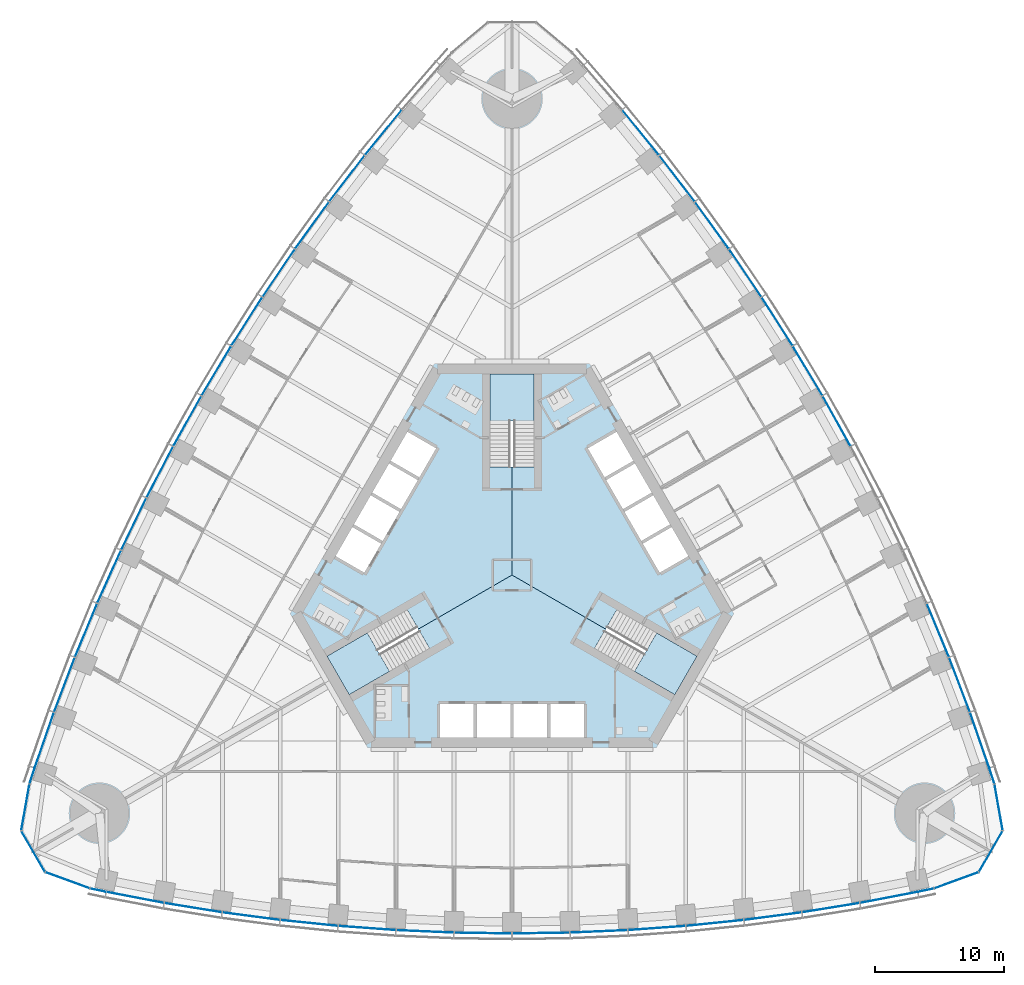
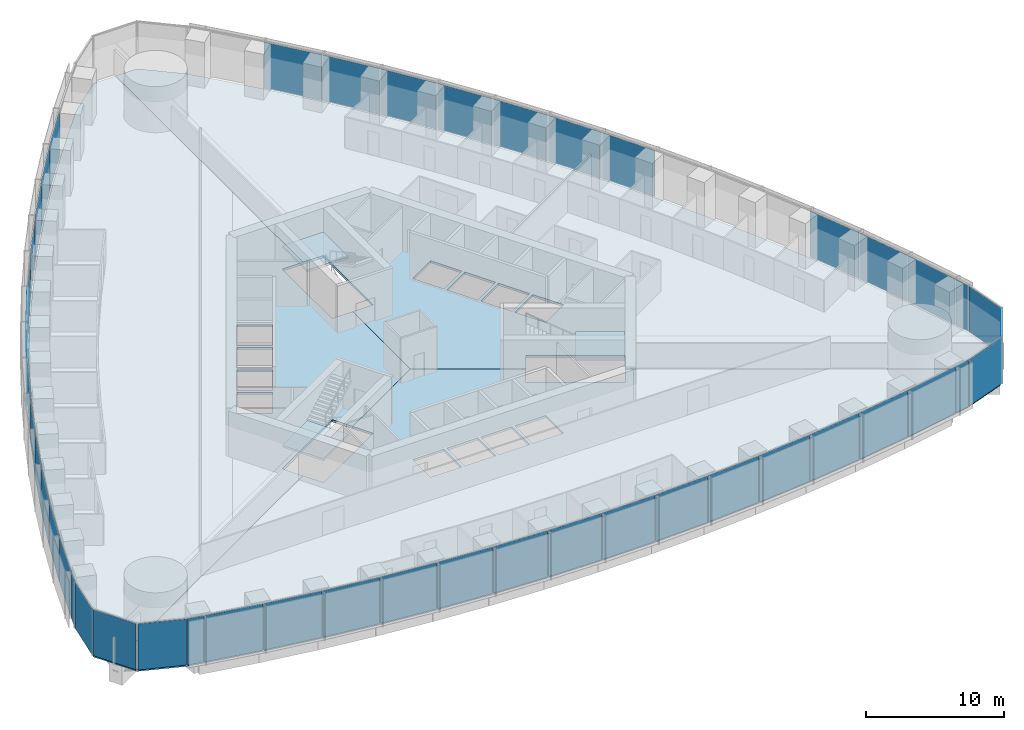
# One storey, part 8 of 18: 47 plates, 6 slabs, 8 elements without a shape of their own.
"""IFC4 building model written with IfcOpenShell, lengths in metres."""

import ifcopenshell
import ifcopenshell.guid

model = None  # the IFC model being written
_history = None  # IfcOwnerHistory: only IFC2X3 demands one
_inside = {}  # id of a spatial element -> (the spatial element, [elements in it])
_under = {}  # id of a project, library or spatial element -> (it, [spatial elements below it])
_declared = {}  # id of a project -> (the project, [libraries it declares])
_typed = {}  # id of a type object -> (the type object, [elements of that type])
_made_of = {}  # id of a material, layer set ... -> (it, [elements and type objects made of it])


def new_model(schema):
    """Start an empty IFC model of exactly this schema.

    Asked for "IFC4X3", IfcOpenShell would pick the latest addendum, in which some entities
    have other attributes; the version numbers below select the first issue.
    IFC2X3 requires an IfcOwnerHistory on every rooted entity: one is made here for all.
    """
    global model, _history
    if schema == "IFC4X3":
        model = ifcopenshell.file(schema_version=(4, 3, 0, 0))
    else:
        model = ifcopenshell.file(schema=schema)
    _inside.clear()
    _under.clear()
    _declared.clear()
    _typed.clear()
    _made_of.clear()
    _history = None
    if model.schema == "IFC2X3":
        org = make("IfcOrganization", Name="unknown")
        user = make(
            "IfcPersonAndOrganization",
            ThePerson=make("IfcPerson", FamilyName="unknown"),
            TheOrganization=org,
        )
        app = make(
            "IfcApplication",
            ApplicationDeveloper=org,
            Version="unknown",
            ApplicationFullName="unknown",
            ApplicationIdentifier="unknown",
        )
        _history = make(
            "IfcOwnerHistory",
            OwningUser=user,
            OwningApplication=app,
            ChangeAction="ADDED",
            CreationDate=0,
        )
    return model


def make(cls, **values):
    """One entity of the class cls with the attributes given. An attribute that is None is left unset."""
    return model.create_entity(
        cls, **{name: value for name, value in values.items() if value is not None}
    )


def rooted(cls, **values):
    """An entity with a GlobalId (a new one), such as an element, a storey or a relation."""
    return make(cls, GlobalId=ifcopenshell.guid.new(), OwnerHistory=_history, **values)


def si_unit(unit_type, name, prefix=None):
    """IfcSIUnit, for example si_unit("LENGTHUNIT", "METRE", prefix="MILLI")."""
    return make("IfcSIUnit", UnitType=unit_type, Prefix=prefix, Name=name)


def assignment(units):
    """IfcUnitAssignment: the units of a project."""
    return None if units is None else make("IfcUnitAssignment", Units=units)


def point(xyz):
    """IfcCartesianPoint."""
    return None if xyz is None else make("IfcCartesianPoint", Coordinates=xyz)


def direction(xyz):
    """IfcDirection."""
    return None if xyz is None else make("IfcDirection", DirectionRatios=xyz)


def frame(location, z_axis=None, x_axis=None):
    """IfcAxis2Placement3D, a coordinate frame: its origin and axes. An axis left out is left unset."""
    return make(
        "IfcAxis2Placement3D",
        Location=point(location),
        Axis=direction(z_axis),
        RefDirection=direction(x_axis),
    )


def frame_2d(location, x_axis=None):
    """IfcAxis2Placement2D, a coordinate frame in the plane: its origin and x axis."""
    return make(
        "IfcAxis2Placement2D", Location=point(location), RefDirection=direction(x_axis)
    )


def origin():
    """The frame at (0, 0, 0) with its axes left unset."""
    return frame((0.0, 0.0, 0.0))


def origin_2d():
    """The frame at (0, 0) in the plane with its x axis left unset."""
    return frame_2d((0.0, 0.0))


def place(relative_to, where):
    """IfcLocalPlacement: puts the frame where relative to a parent placement (None: the world)."""
    return make(
        "IfcLocalPlacement", PlacementRelTo=relative_to, RelativePlacement=where
    )


def context(
    kind, dimensions, precision=None, world=None, true_north=None, identifier=None
):
    """IfcGeometricRepresentationContext, for example the 3D "Model" context."""
    return make(
        "IfcGeometricRepresentationContext",
        ContextIdentifier=identifier,
        ContextType=kind,
        CoordinateSpaceDimension=dimensions,
        Precision=precision,
        WorldCoordinateSystem=world,
        TrueNorth=true_north,
    )


def subcontext(parent, identifier, kind, view, scale=None):
    """IfcGeometricRepresentationSubContext, for example "Body" below "Model"."""
    return make(
        "IfcGeometricRepresentationSubContext",
        ContextIdentifier=identifier,
        ContextType=kind,
        ParentContext=parent,
        TargetScale=scale,
        TargetView=view,
    )


def project(units=None, contexts=None):
    """IfcProject with its units and contexts."""
    return rooted(
        "IfcProject",
        Name="project",
        RepresentationContexts=contexts,
        UnitsInContext=assignment(units),
    )


def spatial(cls, under=None, at=None, **own):
    """A site, building, storey or space (cls), placed at a placement, below another one or the project."""
    s = rooted(cls, ObjectPlacement=at, **own)
    if under is not None:
        _under.setdefault(under.id(), (under, []))[1].append(s)
    return s


def polyline(points):
    """IfcPolyline through the points."""
    return make("IfcPolyline", Points=[point(p) for p in points])


def profile(cls, at=None, kind="AREA", **sizes):
    """A parametric profile (cls). Its sizes go by their IFC names, for example OverallWidth=200.0."""
    return make(cls, ProfileType=kind, Position=at, **sizes)


def rectangle(**sizes):
    """IfcRectangleProfileDef."""
    return profile("IfcRectangleProfileDef", **sizes)


def outline(outer, holes=None, kind="AREA"):
    """IfcArbitraryClosedProfileDef: a profile drawn as a closed curve; with holes, ...WithVoids."""
    if holes is None:
        return make("IfcArbitraryClosedProfileDef", ProfileType=kind, OuterCurve=outer)
    return make(
        "IfcArbitraryProfileDefWithVoids",
        ProfileType=kind,
        OuterCurve=outer,
        InnerCurves=holes,
    )


def extrude(swept, where, along, depth):
    """IfcExtrudedAreaSolid: the profile swept, set in the frame where, extruded along a direction by depth."""
    return make(
        "IfcExtrudedAreaSolid",
        SweptArea=swept,
        Position=where,
        ExtrudedDirection=direction(along),
        Depth=depth,
    )


def shape(context_of_items, identifier, shape_type, items):
    """IfcShapeRepresentation: the items that make up one representation, for example the "Body"."""
    return make(
        "IfcShapeRepresentation",
        ContextOfItems=context_of_items,
        RepresentationIdentifier=identifier,
        RepresentationType=shape_type,
        Items=items,
    )


def material(Name=None, Category=None):
    """IfcMaterial."""
    return make("IfcMaterial", Name=Name, Category=Category)


def layer(
    of_material, thickness, ventilated=None, Name=None, Category=None, Priority=None
):
    """IfcMaterialLayer: one layer of a wall or slab, of a material (None: an air gap)."""
    return make(
        "IfcMaterialLayer",
        Material=of_material,
        LayerThickness=thickness,
        IsVentilated=ventilated,
        Name=Name,
        Category=Category,
        Priority=Priority,
    )


def layer_set(layers, Name=None):
    """IfcMaterialLayerSet."""
    return make("IfcMaterialLayerSet", MaterialLayers=layers, LayerSetName=Name)


def made_of(thing, what):
    """Note that an element or type object is made of a material, layer set ...; save() writes the relation."""
    if what is not None:
        _made_of.setdefault(what.id(), (what, []))[1].append(thing)
    return thing


def type_object(cls, material=None, **own):
    """A type object (cls), such as IfcWallType, which elements share."""
    return made_of(rooted(cls, **own), material)


def element(
    cls,
    number,
    at=None,
    inside=None,
    cuts=None,
    type_object=None,
    material=None,
    context=None,
    identifier="Body",
    shape_type=None,
    held_by="IfcProductDefinitionShape",
    body=None,
    shapes=None,
    **own,
):
    """One element of the class cls, such as IfcWall. Its Tag is "e" and its number.

    at: its placement. inside: the storey or other place that contains it. cuts: it is an
    opening in that element (IfcRelVoidsElement). A single representation is given by context,
    identifier, shape_type and body (its items); several are given by shapes. held_by: the class
    of the entity that holds the representations. save() writes the other relations.
    """
    e = rooted(cls, Tag="e%d" % number, ObjectPlacement=at, **own)
    if body is not None:
        shapes = [shape(context, identifier, shape_type, body)]
    if shapes is not None:
        e.Representation = make(held_by, Representations=shapes)
    if inside is not None:
        _inside.setdefault(inside.id(), (inside, []))[1].append(e)
    if cuts is not None:
        rooted(
            "IfcRelVoidsElement", RelatingBuildingElement=cuts, RelatedOpeningElement=e
        )
    if type_object is not None:
        _typed.setdefault(type_object.id(), (type_object, []))[1].append(e)
    return made_of(e, material)


def aggregate(whole, parts):
    """IfcRelAggregates: a whole, such as a stair, and the parts it consists of."""
    return rooted("IfcRelAggregates", RelatingObject=whole, RelatedObjects=parts)


def save(model, path):
    """Write the relations noted so far, then the file.

    IfcRelAggregates (storeys below a building ...), IfcRelContainedInSpatialStructure (elements
    in a storey), IfcRelDefinesByType, IfcRelAssociatesMaterial and IfcRelDeclares: one each for
    every whole, place, type object, material and project.
    """
    for whole, parts in _under.values():
        aggregate(whole, parts)
    for where, things in _inside.values():
        rooted(
            "IfcRelContainedInSpatialStructure",
            RelatedElements=things,
            RelatingStructure=where,
        )
    for kind, things in _typed.values():
        rooted("IfcRelDefinesByType", RelatedObjects=things, RelatingType=kind)
    for what, things in _made_of.values():
        rooted("IfcRelAssociatesMaterial", RelatedObjects=things, RelatingMaterial=what)
    for by, libraries in _declared.values():
        rooted("IfcRelDeclares", RelatingContext=by, RelatedDefinitions=libraries)
    model.write(path)


model = new_model("IFC4")

# Units and contexts
model_context = context("Model", 3, precision=1e-05, world=origin(), true_north=direction((0.0, 1.0)))
body_context = subcontext(model_context, "Body", "Model", "MODEL_VIEW")
ifc_project = project(units=[si_unit("LENGTHUNIT", "METRE"), si_unit("AREAUNIT", "SQUARE_METRE"), si_unit("VOLUMEUNIT", "CUBIC_METRE"), si_unit("PLANEANGLEUNIT", "RADIAN"), si_unit("MASSUNIT", "GRAM", prefix="KILO")], contexts=[model_context])

# Site, building, storey
site_placement = place(None, origin())
site = spatial("IfcSite", under=ifc_project, at=site_placement, CompositionType="ELEMENT")
building_placement = place(site_placement, origin())
building = spatial("IfcBuilding", under=site, at=building_placement, Name="Trefoil Bronze Tower", CompositionType="ELEMENT")
storey_placement = place(building_placement, frame((0.0, 0.0, 54.300048828125)))
storey = spatial("IfcBuildingStorey", under=building, at=storey_placement, Name="L12", CompositionType="ELEMENT", Elevation=54.300048828125)

# Curtain wall, plates
ifc_material_1 = material(Name="Tinted solar-control glass", Category="glass")
curtain_wall_type_1 = type_object("IfcCurtainWallType", Name="Bronze office curtain wall", PredefinedType="USERDEFINED", material=ifc_material_1)
curtain_wall_1_placement = place(storey_placement, origin())
curtain_wall_1 = element("IfcCurtainWall", 1, at=curtain_wall_1_placement, inside=storey, type_object=curtain_wall_type_1, Name="CW-A L12 F1", ObjectType="CURTAIN WALL", PredefinedType="USERDEFINED")
ifc_material_2 = material(Name="Tinted solar-control glass", Category="glass")
ifc_layer_1 = layer(ifc_material_2, 0.030029296875)
ifc_layer_set_1 = layer_set([ifc_layer_1], Name="Bronze office curtain wall glass panel")
plate_type_1 = type_object("IfcPlateType", Name="Bronze office curtain wall glass panel", PredefinedType="CURTAIN_PANEL", material=ifc_layer_set_1)
plate_1_placement = place(storey_placement, frame((-32.15185546875, -24.480224609375, 0.0), z_axis=(0.0, 0.0, 1.0), x_axis=(0.978302717041, -0.207180582657, 0.0)))
plate_1 = element("IfcPlate", 2, at=plate_1_placement, type_object=plate_type_1, Name="CW-A L12 F1 panel 1", PredefinedType="CURTAIN_PANEL", context=body_context, shape_type="SweptSolid", body=[
    extrude(rectangle(XDim=1.21044921875, YDim=0.030029296875, at=origin_2d()), origin(), (0.0, 0.0, 1.0), 4.080078125),
])
plate_2_placement = place(storey_placement, frame((-29.268798828125, -25.04638671875, 0.0), z_axis=(0.0, 0.0, 1.0), x_axis=(0.982049823817, -0.188621694249, 0.0)))
plate_2 = element("IfcPlate", 3, at=plate_2_placement, type_object=plate_type_1, Name="CW-A L12 F1 panel 2", PredefinedType="CURTAIN_PANEL", context=body_context, shape_type="SweptSolid", body=[
    extrude(rectangle(XDim=4.502197265625, YDim=0.030029296875, at=origin_2d()), origin(), (0.0, 0.0, 1.0), 4.080078125),
])
plate_3_placement = place(storey_placement, frame((-24.765869140625, -25.8427734375, 0.0), z_axis=(0.0, 0.0, 1.0), x_axis=(0.987181315145, -0.159602791421, 0.0)))
plate_3 = element("IfcPlate", 4, at=plate_3_placement, type_object=plate_type_1, Name="CW-A L12 F1 panel 3", PredefinedType="CURTAIN_PANEL", context=body_context, shape_type="SweptSolid", body=[
    extrude(rectangle(XDim=4.478515625, YDim=0.030029296875, at=origin_2d()), origin(), (0.0, 0.0, 1.0), 4.080078125),
])
plate_4_placement = place(storey_placement, frame((-20.262939453125, -26.50341796875, 0.0), z_axis=(0.0, 0.0, 1.0), x_axis=(0.991437251591, -0.130583981243, 0.0)))
plate_4 = element("IfcPlate", 5, at=plate_4_placement, type_object=plate_type_1, Name="CW-A L12 F1 panel 4", PredefinedType="CURTAIN_PANEL", context=body_context, shape_type="SweptSolid", body=[
    extrude(rectangle(XDim=4.458984375, YDim=0.030029296875, at=origin_2d()), origin(), (0.0, 0.0, 1.0), 4.080078125),
])
plate_5_placement = place(storey_placement, frame((-15.76025390625, -27.02978515625, 0.0), z_axis=(0.0, 0.0, 1.0), x_axis=(0.994828880293, -0.101565244717, 0.0)))
plate_5 = element("IfcPlate", 6, at=plate_5_placement, type_object=plate_type_1, Name="CW-A L12 F1 panel 5", PredefinedType="CURTAIN_PANEL", context=body_context, shape_type="SweptSolid", body=[
    extrude(rectangle(XDim=4.443359375, YDim=0.030029296875, at=origin_2d()), origin(), (0.0, 0.0, 1.0), 4.080078125),
])
plate_6_placement = place(storey_placement, frame((-11.25732421875, -27.42333984375, 0.0), z_axis=(0.0, 0.0, 1.0), x_axis=(0.99736502647, -0.072546564177, 0.0)))
plate_6 = element("IfcPlate", 7, at=plate_6_placement, type_object=plate_type_1, Name="CW-A L12 F1 panel 6", PredefinedType="CURTAIN_PANEL", context=body_context, shape_type="SweptSolid", body=[
    extrude(rectangle(XDim=4.431884765625, YDim=0.030029296875, at=origin_2d()), origin(), (0.0, 0.0, 1.0), 4.080078125),
])
plate_7_placement = place(storey_placement, frame((-6.75439453125, -27.685302734375, 0.0), z_axis=(0.0, 0.0, 1.0), x_axis=(0.999052210809, -0.043527922969, 0.0)))
plate_7 = element("IfcPlate", 8, at=plate_7_placement, type_object=plate_type_1, Name="CW-A L12 F1 panel 7", PredefinedType="CURTAIN_PANEL", context=body_context, shape_type="SweptSolid", body=[
    extrude(rectangle(XDim=4.42431640625, YDim=0.030029296875, at=origin_2d()), origin(), (0.0, 0.0, 1.0), 4.080078125),
])
plate_8_placement = place(storey_placement, frame((-2.25146484375, -27.816162109375, 0.0), z_axis=(0.0, 0.0, 1.0), x_axis=(0.999894734493, -0.014509305083, 0.0)))
plate_8 = element("IfcPlate", 9, at=plate_8_placement, type_object=plate_type_1, Name="CW-A L12 F1 panel 8", PredefinedType="CURTAIN_PANEL", context=body_context, shape_type="SweptSolid", body=[
    extrude(rectangle(XDim=4.42041015625, YDim=0.030029296875, at=origin_2d()), origin(), (0.0, 0.0, 1.0), 4.080078125),
])
plate_9_placement = place(storey_placement, frame((2.25146484375, -27.816162109375, 0.0), z_axis=(0.0, 0.0, 1.0), x_axis=(0.999894734493, 0.014509305083, 0.0)))
plate_9 = element("IfcPlate", 10, at=plate_9_placement, type_object=plate_type_1, Name="CW-A L12 F1 panel 9", PredefinedType="CURTAIN_PANEL", context=body_context, shape_type="SweptSolid", body=[
    extrude(rectangle(XDim=4.42041015625, YDim=0.030029296875, at=origin_2d()), origin(), (0.0, 0.0, 1.0), 4.080078125),
])
plate_10_placement = place(storey_placement, frame((6.75439453125, -27.685302734375, 0.0), z_axis=(0.0, 0.0, 1.0), x_axis=(0.999052210809, 0.043527922969, 0.0)))
plate_10 = element("IfcPlate", 11, at=plate_10_placement, type_object=plate_type_1, Name="CW-A L12 F1 panel 10", PredefinedType="CURTAIN_PANEL", context=body_context, shape_type="SweptSolid", body=[
    extrude(rectangle(XDim=4.42431640625, YDim=0.030029296875, at=origin_2d()), origin(), (0.0, 0.0, 1.0), 4.080078125),
])
plate_11_placement = place(storey_placement, frame((11.25732421875, -27.42333984375, 0.0), z_axis=(0.0, 0.0, 1.0), x_axis=(0.99736502647, 0.072546564177, 0.0)))
plate_11 = element("IfcPlate", 12, at=plate_11_placement, type_object=plate_type_1, Name="CW-A L12 F1 panel 11", PredefinedType="CURTAIN_PANEL", context=body_context, shape_type="SweptSolid", body=[
    extrude(rectangle(XDim=4.431884765625, YDim=0.030029296875, at=origin_2d()), origin(), (0.0, 0.0, 1.0), 4.080078125),
])
plate_12_placement = place(storey_placement, frame((15.76025390625, -27.02978515625, 0.0), z_axis=(0.0, 0.0, 1.0), x_axis=(0.994828880293, 0.101565244717, 0.0)))
plate_12 = element("IfcPlate", 13, at=plate_12_placement, type_object=plate_type_1, Name="CW-A L12 F1 panel 12", PredefinedType="CURTAIN_PANEL", context=body_context, shape_type="SweptSolid", body=[
    extrude(rectangle(XDim=4.443359375, YDim=0.030029296875, at=origin_2d()), origin(), (0.0, 0.0, 1.0), 4.080078125),
])
plate_13_placement = place(storey_placement, frame((20.262939453125, -26.50341796875, 0.0), z_axis=(0.0, 0.0, 1.0), x_axis=(0.991437251591, 0.130583981243, 0.0)))
plate_13 = element("IfcPlate", 14, at=plate_13_placement, type_object=plate_type_1, Name="CW-A L12 F1 panel 13", PredefinedType="CURTAIN_PANEL", context=body_context, shape_type="SweptSolid", body=[
    extrude(rectangle(XDim=4.458984375, YDim=0.030029296875, at=origin_2d()), origin(), (0.0, 0.0, 1.0), 4.080078125),
])
plate_14_placement = place(storey_placement, frame((24.765869140625, -25.8427734375, 0.0), z_axis=(0.0, 0.0, 1.0), x_axis=(0.987181315145, 0.159602791421, 0.0)))
plate_14 = element("IfcPlate", 15, at=plate_14_placement, type_object=plate_type_1, Name="CW-A L12 F1 panel 14", PredefinedType="CURTAIN_PANEL", context=body_context, shape_type="SweptSolid", body=[
    extrude(rectangle(XDim=4.478515625, YDim=0.030029296875, at=origin_2d()), origin(), (0.0, 0.0, 1.0), 4.080078125),
])
plate_15_placement = place(storey_placement, frame((29.268798828125, -25.04638671875, 0.0), z_axis=(0.0, 0.0, 1.0), x_axis=(0.982049823817, 0.188621694249, 0.0)))
plate_15 = element("IfcPlate", 16, at=plate_15_placement, type_object=plate_type_1, Name="CW-A L12 F1 panel 15", PredefinedType="CURTAIN_PANEL", context=body_context, shape_type="SweptSolid", body=[
    extrude(rectangle(XDim=4.502197265625, YDim=0.030029296875, at=origin_2d()), origin(), (0.0, 0.0, 1.0), 4.080078125),
])
plate_16_placement = place(storey_placement, frame((32.15185546875, -24.480224609375, 0.0), z_axis=(0.0, 0.0, 1.0), x_axis=(0.978302717041, 0.207180582657, 0.0)))
plate_16 = element("IfcPlate", 17, at=plate_16_placement, type_object=plate_type_1, Name="CW-A L12 F1 panel 16", PredefinedType="CURTAIN_PANEL", context=body_context, shape_type="SweptSolid", body=[
    extrude(rectangle(XDim=1.21044921875, YDim=0.030029296875, at=origin_2d()), origin(), (0.0, 0.0, 1.0), 4.080078125),
])
aggregate(curtain_wall_1, [plate_1, plate_2, plate_3, plate_4, plate_5, plate_6, plate_7, plate_8, plate_9, plate_10, plate_11, plate_12, plate_13, plate_14, plate_15, plate_16])

curtain_wall_2_placement = place(storey_placement, origin())
curtain_wall_2 = element("IfcCurtainWall", 18, at=curtain_wall_2_placement, inside=storey, type_object=curtain_wall_type_1, Name="CW-A L12 F2", ObjectType="CURTAIN WALL", PredefinedType="USERDEFINED")
plate_17_placement = place(storey_placement, frame((37.2763671875, -15.604248046875, 0.0), z_axis=(0.0, 0.0, 1.0), x_axis=(-0.309727710769, 0.950825296877, 0.0)))
plate_17 = element("IfcPlate", 19, at=plate_17_placement, type_object=plate_type_1, Name="CW-A L12 F2 panel 1", PredefinedType="CURTAIN_PANEL", context=body_context, shape_type="SweptSolid", body=[
    extrude(rectangle(XDim=1.21044921875, YDim=0.030029296875, at=origin_2d()), origin(), (0.0, 0.0, 1.0), 4.080078125),
])
plate_18_placement = place(storey_placement, frame((36.3251953125, -12.824462890625, 0.0), z_axis=(0.0, 0.0, 1.0), x_axis=(-0.327673732984, 0.944790942332, 0.0)))
plate_18 = element("IfcPlate", 20, at=plate_18_placement, type_object=plate_type_1, Name="CW-A L12 F2 panel 2", PredefinedType="CURTAIN_PANEL", context=body_context, shape_type="SweptSolid", body=[
    extrude(rectangle(XDim=4.502197265625, YDim=0.030029296875, at=origin_2d()), origin(), (0.0, 0.0, 1.0), 4.080078125),
])
plate_19_placement = place(storey_placement, frame((34.763427734375, -8.526611328125, 0.0), z_axis=(0.0, 0.0, 1.0), x_axis=(-0.355370585687, 0.934725492767, 0.0)))
plate_19 = element("IfcPlate", 21, at=plate_19_placement, type_object=plate_type_1, Name="CW-A L12 F2 panel 3", PredefinedType="CURTAIN_PANEL", context=body_context, shape_type="SweptSolid", body=[
    extrude(rectangle(XDim=4.478515625, YDim=0.030029296875, at=origin_2d()), origin(), (0.0, 0.0, 1.0), 4.080078125),
])
plate_20_placement = place(storey_placement, frame((33.084228515625, -4.296630859375, 0.0), z_axis=(0.0, 0.0, 1.0), x_axis=(-0.382629580712, 0.923901836758, 0.0)))
plate_20 = element("IfcPlate", 22, at=plate_20_placement, type_object=plate_type_1, Name="CW-A L12 F2 panel 4", PredefinedType="CURTAIN_PANEL", context=body_context, shape_type="SweptSolid", body=[
    extrude(rectangle(XDim=4.458984375, YDim=0.030029296875, at=origin_2d()), origin(), (0.0, 0.0, 1.0), 4.080078125),
])
plate_21_placement = place(storey_placement, frame((25.215087890625, 11.958251953125, 0.0), z_axis=(0.0, 0.0, 1.0), x_axis=(-0.487381940453, 0.873188893722, 0.0)))
plate_21 = element("IfcPlate", 23, at=plate_21_placement, type_object=plate_type_1, Name="CW-A L12 F2 panel 8", PredefinedType="CURTAIN_PANEL", context=body_context, shape_type="SweptSolid", body=[
    extrude(rectangle(XDim=4.42041015625, YDim=0.030029296875, at=origin_2d()), origin(), (0.0, 0.0, 1.0), 4.080078125),
])
plate_22_placement = place(storey_placement, frame((22.963623046875, 15.85791015625, 0.0), z_axis=(0.0, 0.0, 1.0), x_axis=(-0.51251279404, 0.858679588639, 0.0)))
plate_22 = element("IfcPlate", 24, at=plate_22_placement, type_object=plate_type_1, Name="CW-A L12 F2 panel 9", PredefinedType="CURTAIN_PANEL", context=body_context, shape_type="SweptSolid", body=[
    extrude(rectangle(XDim=4.42041015625, YDim=0.030029296875, at=origin_2d()), origin(), (0.0, 0.0, 1.0), 4.080078125),
])
plate_23_placement = place(storey_placement, frame((20.598876953125, 19.692138671875, 0.0), z_axis=(0.0, 0.0, 1.0), x_axis=(-0.537222392469, 0.843440632783, 0.0)))
plate_23 = element("IfcPlate", 25, at=plate_23_placement, type_object=plate_type_1, Name="CW-A L12 F2 panel 10", PredefinedType="CURTAIN_PANEL", context=body_context, shape_type="SweptSolid", body=[
    extrude(rectangle(XDim=4.42431640625, YDim=0.030029296875, at=origin_2d()), origin(), (0.0, 0.0, 1.0), 4.080078125),
])
plate_24_placement = place(storey_placement, frame((18.120849609375, 23.460693359375, 0.0), z_axis=(0.0, 0.0, 1.0), x_axis=(-0.56150968077, 0.827470167681, 0.0)))
plate_24 = element("IfcPlate", 26, at=plate_24_placement, type_object=plate_type_1, Name="CW-A L12 F2 panel 11", PredefinedType="CURTAIN_PANEL", context=body_context, shape_type="SweptSolid", body=[
    extrude(rectangle(XDim=4.431884765625, YDim=0.030029296875, at=origin_2d()), origin(), (0.0, 0.0, 1.0), 4.080078125),
])
plate_25_placement = place(storey_placement, frame((15.5283203125, 27.16357421875, 0.0), z_axis=(0.0, 0.0, 1.0), x_axis=(-0.585372522213, 0.810764460394, 0.0)))
plate_25 = element("IfcPlate", 27, at=plate_25_placement, type_object=plate_type_1, Name="CW-A L12 F2 panel 12", PredefinedType="CURTAIN_PANEL", context=body_context, shape_type="SweptSolid", body=[
    extrude(rectangle(XDim=4.443359375, YDim=0.030029296875, at=origin_2d()), origin(), (0.0, 0.0, 1.0), 4.080078125),
])
plate_26_placement = place(storey_placement, frame((12.821044921875, 30.800048828125, 0.0), z_axis=(0.0, 0.0, 1.0), x_axis=(-0.608807670879, 0.793317855515, 0.0)))
plate_26 = element("IfcPlate", 28, at=plate_26_placement, type_object=plate_type_1, Name="CW-A L12 F2 panel 13", PredefinedType="CURTAIN_PANEL", context=body_context, shape_type="SweptSolid", body=[
    extrude(rectangle(XDim=4.458984375, YDim=0.030029296875, at=origin_2d()), origin(), (0.0, 0.0, 1.0), 4.080078125),
])
plate_27_placement = place(storey_placement, frame((9.99755859375, 34.369384765625, 0.0), z_axis=(0.0, 0.0, 1.0), x_axis=(-0.631810729457, 0.775122701346, 0.0)))
plate_27 = element("IfcPlate", 29, at=plate_27_placement, type_object=plate_type_1, Name="CW-A L12 F2 panel 14", PredefinedType="CURTAIN_PANEL", context=body_context, shape_type="SweptSolid", body=[
    extrude(rectangle(XDim=4.478515625, YDim=0.030029296875, at=origin_2d()), origin(), (0.0, 0.0, 1.0), 4.080078125),
])
aggregate(curtain_wall_2, [plate_17, plate_18, plate_19, plate_20, plate_21, plate_22, plate_23, plate_24, plate_25, plate_26, plate_27])

curtain_wall_3_placement = place(storey_placement, origin())
curtain_wall_3 = element("IfcCurtainWall", 30, at=curtain_wall_3_placement, inside=storey, type_object=curtain_wall_type_1, Name="CW-A L12 F3", ObjectType="CURTAIN WALL", PredefinedType="USERDEFINED")
plate_28_placement = place(storey_placement, frame((-9.99755859375, 34.369384765625, 0.0), z_axis=(0.0, 0.0, 1.0), x_axis=(-0.631810729457, -0.775122701346, 0.0)))
plate_28 = element("IfcPlate", 31, at=plate_28_placement, type_object=plate_type_1, Name="CW-A L12 F3 panel 3", PredefinedType="CURTAIN_PANEL", context=body_context, shape_type="SweptSolid", body=[
    extrude(rectangle(XDim=4.478515625, YDim=0.030029296875, at=origin_2d()), origin(), (0.0, 0.0, 1.0), 4.080078125),
])
plate_29_placement = place(storey_placement, frame((-12.821044921875, 30.800048828125, 0.0), z_axis=(0.0, 0.0, 1.0), x_axis=(-0.608807670879, -0.793317855515, 0.0)))
plate_29 = element("IfcPlate", 32, at=plate_29_placement, type_object=plate_type_1, Name="CW-A L12 F3 panel 4", PredefinedType="CURTAIN_PANEL", context=body_context, shape_type="SweptSolid", body=[
    extrude(rectangle(XDim=4.458984375, YDim=0.030029296875, at=origin_2d()), origin(), (0.0, 0.0, 1.0), 4.080078125),
])
plate_30_placement = place(storey_placement, frame((-15.5283203125, 27.16357421875, 0.0), z_axis=(0.0, 0.0, 1.0), x_axis=(-0.585372522213, -0.810764460394, 0.0)))
plate_30 = element("IfcPlate", 33, at=plate_30_placement, type_object=plate_type_1, Name="CW-A L12 F3 panel 5", PredefinedType="CURTAIN_PANEL", context=body_context, shape_type="SweptSolid", body=[
    extrude(rectangle(XDim=4.443359375, YDim=0.030029296875, at=origin_2d()), origin(), (0.0, 0.0, 1.0), 4.080078125),
])
plate_31_placement = place(storey_placement, frame((-18.120849609375, 23.460693359375, 0.0), z_axis=(0.0, 0.0, 1.0), x_axis=(-0.56150968077, -0.827470167681, 0.0)))
plate_31 = element("IfcPlate", 34, at=plate_31_placement, type_object=plate_type_1, Name="CW-A L12 F3 panel 6", PredefinedType="CURTAIN_PANEL", context=body_context, shape_type="SweptSolid", body=[
    extrude(rectangle(XDim=4.431884765625, YDim=0.030029296875, at=origin_2d()), origin(), (0.0, 0.0, 1.0), 4.080078125),
])
plate_32_placement = place(storey_placement, frame((-20.598876953125, 19.692138671875, 0.0), z_axis=(0.0, 0.0, 1.0), x_axis=(-0.537222392469, -0.843440632783, 0.0)))
plate_32 = element("IfcPlate", 35, at=plate_32_placement, type_object=plate_type_1, Name="CW-A L12 F3 panel 7", PredefinedType="CURTAIN_PANEL", context=body_context, shape_type="SweptSolid", body=[
    extrude(rectangle(XDim=4.42431640625, YDim=0.030029296875, at=origin_2d()), origin(), (0.0, 0.0, 1.0), 4.080078125),
])
plate_33_placement = place(storey_placement, frame((-22.963623046875, 15.85791015625, 0.0), z_axis=(0.0, 0.0, 1.0), x_axis=(-0.51251279404, -0.858679588639, 0.0)))
plate_33 = element("IfcPlate", 36, at=plate_33_placement, type_object=plate_type_1, Name="CW-A L12 F3 panel 8", PredefinedType="CURTAIN_PANEL", context=body_context, shape_type="SweptSolid", body=[
    extrude(rectangle(XDim=4.42041015625, YDim=0.030029296875, at=origin_2d()), origin(), (0.0, 0.0, 1.0), 4.080078125),
])
plate_34_placement = place(storey_placement, frame((-25.215087890625, 11.958251953125, 0.0), z_axis=(0.0, 0.0, 1.0), x_axis=(-0.487381940453, -0.873188893722, 0.0)))
plate_34 = element("IfcPlate", 37, at=plate_34_placement, type_object=plate_type_1, Name="CW-A L12 F3 panel 9", PredefinedType="CURTAIN_PANEL", context=body_context, shape_type="SweptSolid", body=[
    extrude(rectangle(XDim=4.42041015625, YDim=0.030029296875, at=origin_2d()), origin(), (0.0, 0.0, 1.0), 4.080078125),
])
plate_35_placement = place(storey_placement, frame((-27.353271484375, 7.9931640625, 0.0), z_axis=(0.0, 0.0, 1.0), x_axis=(-0.46182981834, -0.886968555752, 0.0)))
plate_35 = element("IfcPlate", 38, at=plate_35_placement, type_object=plate_type_1, Name="CW-A L12 F3 panel 10", PredefinedType="CURTAIN_PANEL", context=body_context, shape_type="SweptSolid", body=[
    extrude(rectangle(XDim=4.42431640625, YDim=0.030029296875, at=origin_2d()), origin(), (0.0, 0.0, 1.0), 4.080078125),
])
plate_36_placement = place(storey_placement, frame((-29.3779296875, 3.962646484375, 0.0), z_axis=(0.0, 0.0, 1.0), x_axis=(-0.4358553457, -0.900016731858, 0.0)))
plate_36 = element("IfcPlate", 39, at=plate_36_placement, type_object=plate_type_1, Name="CW-A L12 F3 panel 11", PredefinedType="CURTAIN_PANEL", context=body_context, shape_type="SweptSolid", body=[
    extrude(rectangle(XDim=4.431884765625, YDim=0.030029296875, at=origin_2d()), origin(), (0.0, 0.0, 1.0), 4.080078125),
])
plate_37_placement = place(storey_placement, frame((-31.28857421875, -0.1337890625, 0.0), z_axis=(0.0, 0.0, 1.0), x_axis=(-0.40945635808, -0.912329705111, 0.0)))
plate_37 = element("IfcPlate", 40, at=plate_37_placement, type_object=plate_type_1, Name="CW-A L12 F3 panel 12", PredefinedType="CURTAIN_PANEL", context=body_context, shape_type="SweptSolid", body=[
    extrude(rectangle(XDim=4.443359375, YDim=0.030029296875, at=origin_2d()), origin(), (0.0, 0.0, 1.0), 4.080078125),
])
plate_38_placement = place(storey_placement, frame((-33.084228515625, -4.296630859375, 0.0), z_axis=(0.0, 0.0, 1.0), x_axis=(-0.382629580712, -0.923901836758, 0.0)))
plate_38 = element("IfcPlate", 41, at=plate_38_placement, type_object=plate_type_1, Name="CW-A L12 F3 panel 13", PredefinedType="CURTAIN_PANEL", context=body_context, shape_type="SweptSolid", body=[
    extrude(rectangle(XDim=4.458984375, YDim=0.030029296875, at=origin_2d()), origin(), (0.0, 0.0, 1.0), 4.080078125),
])
plate_39_placement = place(storey_placement, frame((-34.763427734375, -8.526611328125, 0.0), z_axis=(0.0, 0.0, 1.0), x_axis=(-0.355370585687, -0.934725492767, 0.0)))
plate_39 = element("IfcPlate", 42, at=plate_39_placement, type_object=plate_type_1, Name="CW-A L12 F3 panel 14", PredefinedType="CURTAIN_PANEL", context=body_context, shape_type="SweptSolid", body=[
    extrude(rectangle(XDim=4.478515625, YDim=0.030029296875, at=origin_2d()), origin(), (0.0, 0.0, 1.0), 4.080078125),
])
plate_40_placement = place(storey_placement, frame((-36.3251953125, -12.824462890625, 0.0), z_axis=(0.0, 0.0, 1.0), x_axis=(-0.327673732984, -0.944790942332, 0.0)))
plate_40 = element("IfcPlate", 43, at=plate_40_placement, type_object=plate_type_1, Name="CW-A L12 F3 panel 15", PredefinedType="CURTAIN_PANEL", context=body_context, shape_type="SweptSolid", body=[
    extrude(rectangle(XDim=4.502197265625, YDim=0.030029296875, at=origin_2d()), origin(), (0.0, 0.0, 1.0), 4.080078125),
])
plate_41_placement = place(storey_placement, frame((-37.2763671875, -15.604248046875, 0.0), z_axis=(0.0, 0.0, 1.0), x_axis=(-0.309727710769, -0.950825296877, 0.0)))
plate_41 = element("IfcPlate", 44, at=plate_41_placement, type_object=plate_type_1, Name="CW-A L12 F3 panel 16", PredefinedType="CURTAIN_PANEL", context=body_context, shape_type="SweptSolid", body=[
    extrude(rectangle(XDim=1.21044921875, YDim=0.030029296875, at=origin_2d()), origin(), (0.0, 0.0, 1.0), 4.080078125),
])
aggregate(curtain_wall_3, [plate_28, plate_29, plate_30, plate_31, plate_32, plate_33, plate_34, plate_35, plate_36, plate_37, plate_38, plate_39, plate_40, plate_41])

ifc_material_3 = material(Name="Tinted solar-control glass", Category="glass")
curtain_wall_type_2 = type_object("IfcCurtainWallType", Name="Bronze rounded corner curtain wall", PredefinedType="USERDEFINED", material=ifc_material_3)
curtain_wall_4_placement = place(storey_placement, origin())
curtain_wall_4 = element("IfcCurtainWall", 45, at=curtain_wall_4_placement, inside=storey, type_object=curtain_wall_type_2, Name="CW-B L12 K1", ObjectType="CURTAIN WALL", PredefinedType="USERDEFINED")
ifc_material_4 = material(Name="Tinted solar-control glass", Category="glass")
ifc_layer_2 = layer(ifc_material_4, 0.030029296875)
ifc_layer_set_2 = layer_set([ifc_layer_2], Name="Bronze rounded corner curtain wall glass panel")
plate_type_2 = type_object("IfcPlateType", Name="Bronze rounded corner curtain wall glass panel", PredefinedType="CURTAIN_PANEL", material=ifc_layer_set_2)
plate_42_placement = place(storey_placement, frame((34.5107421875, -23.71875, 0.0), z_axis=(0.0, 0.0, 1.0), x_axis=(0.939692620786, 0.342020143326, 0.0)))
plate_42 = element("IfcPlate", 46, at=plate_42_placement, type_object=plate_type_2, Name="CW-B L12 K1 panel 1", PredefinedType="CURTAIN_PANEL", context=body_context, shape_type="SweptSolid", body=[
    extrude(rectangle(XDim=3.588134765625, YDim=0.030029296875, at=origin_2d()), origin(), (0.0, 0.0, 1.0), 4.080078125),
])
plate_43_placement = place(storey_placement, frame((37.189208984375, -21.47119140625, 0.0), z_axis=(0.0, 0.0, 1.0), x_axis=(0.5, 0.866025403784, 0.0)))
plate_43 = element("IfcPlate", 47, at=plate_43_placement, type_object=plate_type_2, Name="CW-B L12 K1 panel 2", PredefinedType="CURTAIN_PANEL", context=body_context, shape_type="SweptSolid", body=[
    extrude(rectangle(XDim=3.588134765625, YDim=0.030029296875, at=origin_2d()), origin(), (0.0, 0.0, 1.0), 4.080078125),
])
plate_44_placement = place(storey_placement, frame((37.79638671875, -18.02783203125, 0.0), z_axis=(0.0, 0.0, 1.0), x_axis=(-0.173648177667, 0.984807753012, 0.0)))
plate_44 = element("IfcPlate", 48, at=plate_44_placement, type_object=plate_type_2, Name="CW-B L12 K1 panel 3", PredefinedType="CURTAIN_PANEL", context=body_context, shape_type="SweptSolid", body=[
    extrude(rectangle(XDim=3.588134765625, YDim=0.030029296875, at=origin_2d()), origin(), (0.0, 0.0, 1.0), 4.080078125),
])
aggregate(curtain_wall_4, [plate_42, plate_43, plate_44])

curtain_wall_5_placement = place(storey_placement, origin())
curtain_wall_5 = element("IfcCurtainWall", 49, at=curtain_wall_5_placement, inside=storey, type_object=curtain_wall_type_2, Name="CW-B L12 K3", ObjectType="CURTAIN WALL", PredefinedType="USERDEFINED")
plate_45_placement = place(storey_placement, frame((-37.79638671875, -18.02783203125, 0.0), z_axis=(0.0, 0.0, 1.0), x_axis=(-0.173648177667, -0.984807753012, 0.0)))
plate_45 = element("IfcPlate", 50, at=plate_45_placement, type_object=plate_type_2, Name="CW-B L12 K3 panel 1", PredefinedType="CURTAIN_PANEL", context=body_context, shape_type="SweptSolid", body=[
    extrude(rectangle(XDim=3.588134765625, YDim=0.030029296875, at=origin_2d()), origin(), (0.0, 0.0, 1.0), 4.080078125),
])
plate_46_placement = place(storey_placement, frame((-37.189208984375, -21.47119140625, 0.0), z_axis=(0.0, 0.0, 1.0), x_axis=(0.5, -0.866025403784, 0.0)))
plate_46 = element("IfcPlate", 51, at=plate_46_placement, type_object=plate_type_2, Name="CW-B L12 K3 panel 2", PredefinedType="CURTAIN_PANEL", context=body_context, shape_type="SweptSolid", body=[
    extrude(rectangle(XDim=3.588134765625, YDim=0.030029296875, at=origin_2d()), origin(), (0.0, 0.0, 1.0), 4.080078125),
])
plate_47_placement = place(storey_placement, frame((-34.5107421875, -23.71875, 0.0), z_axis=(0.0, 0.0, 1.0), x_axis=(0.939692620786, -0.342020143326, 0.0)))
plate_47 = element("IfcPlate", 52, at=plate_47_placement, type_object=plate_type_2, Name="CW-B L12 K3 panel 3", PredefinedType="CURTAIN_PANEL", context=body_context, shape_type="SweptSolid", body=[
    extrude(rectangle(XDim=3.588134765625, YDim=0.030029296875, at=origin_2d()), origin(), (0.0, 0.0, 1.0), 4.080078125),
])
aggregate(curtain_wall_5, [plate_45, plate_46, plate_47])

# Slabs
ifc_material_5 = material(Name="Concrete B30", Category="concrete")
ifc_layer_3 = layer(ifc_material_5, 0.199951171875)
ifc_layer_set_3 = layer_set([ifc_layer_3], Name="Floor slab 200")
slab_type_1 = type_object("IfcSlabType", Name="Floor slab 200", PredefinedType="FLOOR", material=ifc_layer_set_3)
slab_1_placement = place(storey_placement, frame((0.0, 0.0, -0.199951171875)))
element("IfcSlab", 53, at=slab_1_placement, inside=storey, type_object=slab_type_1, Name="Floor slab L12 face 1", PredefinedType="FLOOR", context=body_context, shape_type="SweptSolid", body=[
    extrude(outline(polyline([(27.0, -25.38037109375), (22.5, -26.10791015625), (18.0, -26.70068359375), (13.5, -27.159912109375), (9.0, -27.4873046875), (4.5, -27.683349609375), (0.0, -27.748779296875), (-4.5, -27.683349609375), (-9.0, -27.4873046875), (-13.5, -27.159912109375), (-18.0, -26.70068359375), (-22.5, -26.10791015625), (-27.0, -25.38037109375), (-31.5, -24.51611328125), (-32.762451171875, -24.248779296875), (-36.190673828125, -23.0009765625), (-37.1025390625, -21.421142578125), (-13.510009765625, -7.800048828125), (-12.6474609375, -9.2939453125), (-6.412109375, -5.69384765625), (-7.274658203125, -4.199951171875), (0.0, 0.0), (7.274658203125, -4.199951171875), (6.412109375, -5.69384765625), (12.6474609375, -9.2939453125), (13.510009765625, -7.800048828125), (37.1025390625, -21.421142578125), (36.190673828125, -23.0009765625), (32.762451171875, -24.248779296875), (31.5, -24.51611328125), (27.0, -25.38037109375)]), holes=[polyline([(-5.574951171875, -10.02490234375), (-2.97509765625, -10.02490234375), (-2.97509765625, -12.60009765625), (-5.574951171875, -12.60009765625), (-5.574951171875, -10.02490234375)]), polyline([(-2.72509765625, -10.02490234375), (-0.125, -10.02490234375), (-0.125, -12.60009765625), (-2.72509765625, -12.60009765625), (-2.72509765625, -10.02490234375)]), polyline([(0.125, -10.02490234375), (2.72509765625, -10.02490234375), (2.72509765625, -12.60009765625), (0.125, -12.60009765625), (0.125, -10.02490234375)]), polyline([(2.97509765625, -10.02490234375), (5.574951171875, -10.02490234375), (5.574951171875, -12.60009765625), (2.97509765625, -12.60009765625), (2.97509765625, -10.02490234375)])]), origin(), (0.0, 0.0, 1.0), 0.199951171875),
])
slab_2_placement = place(storey_placement, frame((0.0, 0.0, -0.199951171875)))
element("IfcSlab", 54, at=slab_2_placement, inside=storey, type_object=slab_type_1, Name="Floor slab L12 face 2", PredefinedType="FLOOR", context=body_context, shape_type="SweptSolid", body=[
    extrude(outline(polyline([(8.47998046875, 36.07275390625), (11.360107421875, 32.53955078125), (14.123291015625, 28.938720703125), (16.771240234375, 25.271240234375), (19.3046875, 21.537841796875), (21.724609375, 17.73876953125), (24.031005859375, 13.874267578125), (26.224609375, 9.944580078125), (28.3046875, 5.949462890625), (30.271240234375, 1.888671875), (32.123291015625, -2.238037109375), (33.860107421875, -6.431640625), (35.47998046875, -10.6923828125), (36.9814453125, -15.021728515625), (37.381103515625, -16.248779296875), (38.0146484375, -19.841552734375), (37.1025390625, -21.421142578125), (13.510009765625, -7.800048828125), (14.37255859375, -6.30615234375), (8.13720703125, -2.7060546875), (7.274658203125, -4.199951171875), (0.0, 0.0), (0.0, 8.39990234375), (1.72509765625, 8.39990234375), (1.72509765625, 15.60009765625), (0.0, 15.60009765625), (0.0, 42.842529296875), (1.82421875, 42.842529296875), (4.618896484375, 40.497314453125), (5.4814453125, 39.537841796875), (8.47998046875, 36.07275390625)]), holes=[polyline([(11.469482421875, 0.184326171875), (10.16943359375, 2.43603515625), (12.3994140625, 3.7236328125), (13.699462890625, 1.471923828125), (11.469482421875, 0.184326171875)]), polyline([(10.04443359375, 2.652587890625), (8.744384765625, 4.904296875), (10.974365234375, 6.191650390625), (12.2744140625, 3.940185546875), (10.04443359375, 2.652587890625)]), polyline([(8.619384765625, 5.120849609375), (7.3193359375, 7.372314453125), (9.54931640625, 8.659912109375), (10.849365234375, 6.408203125), (8.619384765625, 5.120849609375)]), polyline([(7.1943359375, 7.5888671875), (5.894287109375, 9.840576171875), (8.12451171875, 11.128173828125), (9.42431640625, 8.87646484375), (7.1943359375, 7.5888671875)])]), origin(), (0.0, 0.0, 1.0), 0.199951171875),
])
slab_3_placement = place(storey_placement, frame((0.0, 0.0, -0.199951171875)))
element("IfcSlab", 55, at=slab_3_placement, inside=storey, type_object=slab_type_1, Name="Floor slab L12 face 3", PredefinedType="FLOOR", context=body_context, shape_type="SweptSolid", body=[
    extrude(outline(polyline([(-35.47998046875, -10.6923828125), (-33.860107421875, -6.431640625), (-32.123291015625, -2.238037109375), (-30.271240234375, 1.888671875), (-28.3046875, 5.949462890625), (-26.224609375, 9.944580078125), (-24.031005859375, 13.874267578125), (-21.724609375, 17.73876953125), (-19.3046875, 21.537841796875), (-16.771240234375, 25.271240234375), (-14.123291015625, 28.938720703125), (-11.360107421875, 32.53955078125), (-8.47998046875, 36.07275390625), (-5.4814453125, 39.537841796875), (-4.618896484375, 40.497314453125), (-1.82421875, 42.842529296875), (0.0, 42.842529296875), (0.0, 15.60009765625), (-1.72509765625, 15.60009765625), (-1.72509765625, 8.39990234375), (0.0, 8.39990234375), (0.0, 0.0), (-7.274658203125, -4.199951171875), (-8.13720703125, -2.7060546875), (-14.37255859375, -6.30615234375), (-13.510009765625, -7.800048828125), (-37.1025390625, -21.421142578125), (-38.0146484375, -19.841552734375), (-37.381103515625, -16.248779296875), (-36.9814453125, -15.021728515625), (-35.47998046875, -10.6923828125)]), holes=[polyline([(-5.894287109375, 9.840576171875), (-7.1943359375, 7.5888671875), (-9.42431640625, 8.87646484375), (-8.12451171875, 11.128173828125), (-5.894287109375, 9.840576171875)]), polyline([(-7.3193359375, 7.372314453125), (-8.619384765625, 5.120849609375), (-10.849365234375, 6.408203125), (-9.54931640625, 8.659912109375), (-7.3193359375, 7.372314453125)]), polyline([(-8.744384765625, 4.904296875), (-10.04443359375, 2.652587890625), (-12.2744140625, 3.940185546875), (-10.974365234375, 6.191650390625), (-8.744384765625, 4.904296875)]), polyline([(-10.16943359375, 2.43603515625), (-11.469482421875, 0.184326171875), (-13.699462890625, 1.471923828125), (-12.3994140625, 3.7236328125), (-10.16943359375, 2.43603515625)])]), origin(), (0.0, 0.0, 1.0), 0.199951171875),
])

# Stair, slab
ifc_material_6 = material(Name="Precast concrete B80", Category="concrete")
stair_type = type_object("IfcStairType", Name="Exit stair 26 risers", PredefinedType="HALF_TURN_STAIR", material=ifc_material_6)
stair_1_placement = place(storey_placement, origin())
stair_1 = element("IfcStair", 56, at=stair_1_placement, inside=storey, type_object=stair_type, Name="Stair ST1 L12", PredefinedType="HALF_TURN_STAIR")
ifc_material_7 = material(Name="Concrete B30", Category="concrete")
ifc_layer_4 = layer(ifc_material_7, 0.199951171875)
ifc_layer_set_4 = layer_set([ifc_layer_4], Name="Stair landing 200")
slab_type_2 = type_object("IfcSlabType", Name="Stair landing 200", PredefinedType="LANDING", material=ifc_layer_set_4)
slab_4_placement = place(storey_placement, frame((0.0, 0.0, 1.89990234375)))
slab_4 = element("IfcSlab", 57, at=slab_4_placement, type_object=slab_type_2, Name="ST1 landing 1", PredefinedType="LANDING", context=body_context, shape_type="SweptSolid", body=[
    extrude(outline(polyline([(9.512451171875, -7.48388671875), (12.6474609375, -9.2939453125), (14.37255859375, -6.30615234375), (11.237548828125, -4.49609375), (9.512451171875, -7.48388671875)])), origin(), (0.0, 0.0, 1.0), 0.199951171875),
])
aggregate(stair_1, [slab_4])

stair_2_placement = place(storey_placement, origin())
stair_2 = element("IfcStair", 58, at=stair_2_placement, inside=storey, type_object=stair_type, Name="Stair ST2 L12", PredefinedType="HALF_TURN_STAIR")
slab_5_placement = place(storey_placement, frame((0.0, 0.0, 1.89990234375)))
slab_5 = element("IfcSlab", 59, at=slab_5_placement, type_object=slab_type_2, Name="ST2 landing 1", PredefinedType="LANDING", context=body_context, shape_type="SweptSolid", body=[
    extrude(outline(polyline([(1.72509765625, 11.97998046875), (1.72509765625, 15.60009765625), (-1.72509765625, 15.60009765625), (-1.72509765625, 11.97998046875), (1.72509765625, 11.97998046875)])), origin(), (0.0, 0.0, 1.0), 0.199951171875),
])
aggregate(stair_2, [slab_5])

stair_3_placement = place(storey_placement, origin())
stair_3 = element("IfcStair", 60, at=stair_3_placement, inside=storey, type_object=stair_type, Name="Stair ST3 L12", PredefinedType="HALF_TURN_STAIR")
slab_6_placement = place(storey_placement, frame((0.0, 0.0, 1.89990234375)))
slab_6 = element("IfcSlab", 61, at=slab_6_placement, type_object=slab_type_2, Name="ST3 landing 1", PredefinedType="LANDING", context=body_context, shape_type="SweptSolid", body=[
    extrude(outline(polyline([(-11.237548828125, -4.49609375), (-14.37255859375, -6.30615234375), (-12.6474609375, -9.2939453125), (-9.512451171875, -7.48388671875), (-11.237548828125, -4.49609375)])), origin(), (0.0, 0.0, 1.0), 0.199951171875),
])
aggregate(stair_3, [slab_6])

save(model, "model.ifc")
